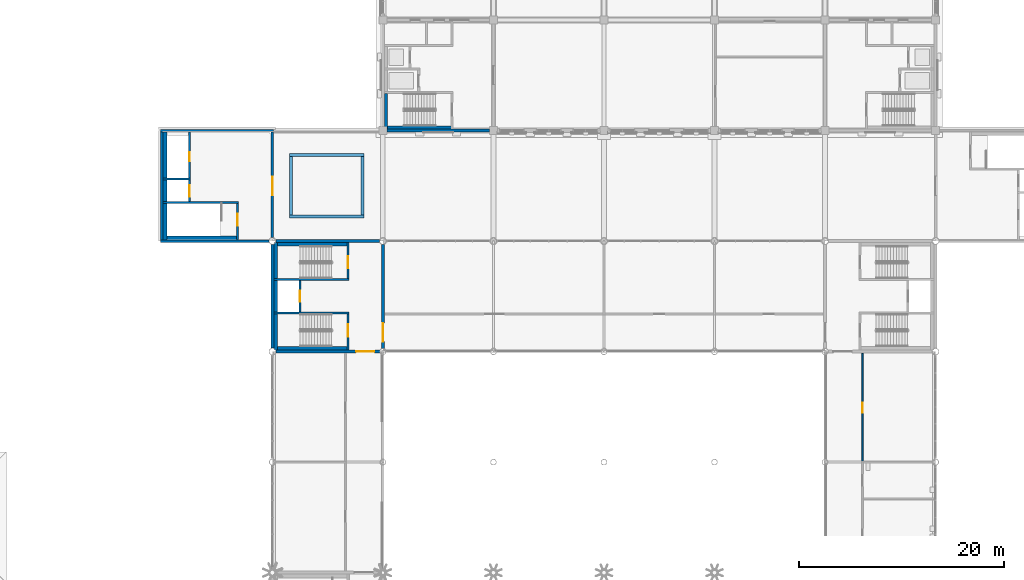
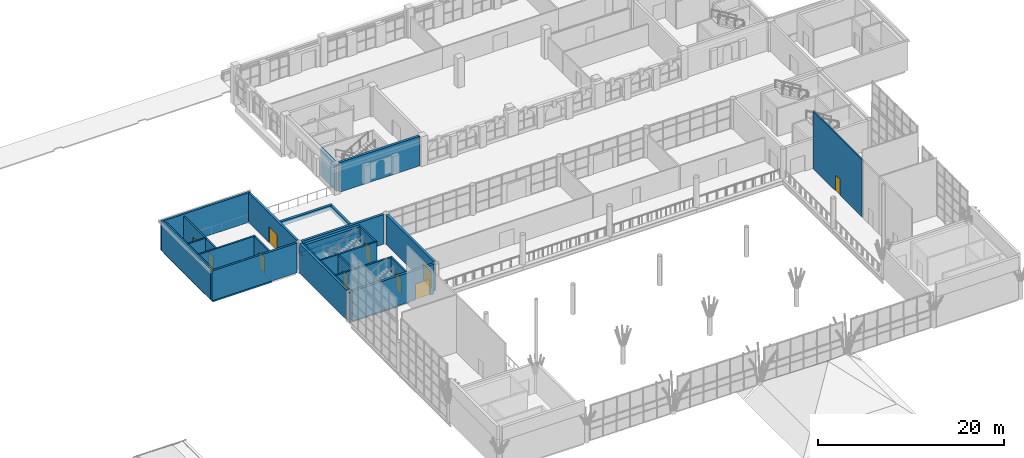
# One storey, part 69 of 95: 35 walls, 10 doors, 10 openings.
"""IFC4 building model written with IfcOpenShell, lengths in metres."""

from ifc_helpers import new_model, si_unit, direction, frame, frame_2d, origin, place, context, subcontext, project, spatial, rectangle, extrude, material, layer, layer_set, type_object, element, fill, save


model = new_model("IFC4")

# Units and contexts
model_context = context("Model", 3, precision=1e-05, world=origin(), true_north=direction((0.0, 1.0)))
body_context = subcontext(model_context, "Body", "Model", "MODEL_VIEW")
ifc_project = project(units=[si_unit("LENGTHUNIT", "METRE"), si_unit("AREAUNIT", "SQUARE_METRE"), si_unit("VOLUMEUNIT", "CUBIC_METRE"), si_unit("PLANEANGLEUNIT", "RADIAN"), si_unit("MASSUNIT", "GRAM", prefix="KILO")], contexts=[model_context])

# Site, building, storey
site_placement = place(None, origin())
site = spatial("IfcSite", under=ifc_project, at=site_placement, CompositionType="ELEMENT")
building_placement = place(site_placement, origin())
building = spatial("IfcBuilding", under=site, at=building_placement, Name="Magnolia Steps Interchange", CompositionType="ELEMENT")
storey_placement = place(building_placement, frame((0.0, 0.0, 4.800048828125)))
storey = spatial("IfcBuildingStorey", under=building, at=storey_placement, Name="L01", CompositionType="ELEMENT", Elevation=4.800048828125)

# Wall, opening, door
ifc_material_1 = material(Name="Concrete C35", Category="concrete")
ifc_layer_1 = layer(ifc_material_1, 0.199951171875)
ifc_layer_set_1 = layer_set([ifc_layer_1], Name="Core enclosure wall 200")
wall_type_1 = type_object("IfcWallType", Name="Core enclosure wall 200", PredefinedType="SOLIDWALL", material=ifc_layer_set_1)
wall_1_placement = place(storey_placement, frame((60.60009765625, 74.949951171875, 0.0), z_axis=(0.0, 0.0, 1.0), x_axis=(0.0, 1.0, 0.0)))
wall_1 = element("IfcWall", 1, at=wall_1_placement, inside=storey, type_object=wall_type_1, Name="L01 HC1 enclosure wall", PredefinedType="SOLIDWALL", context=body_context, shape_type="SweptSolid", body=[
    extrude(rectangle(XDim=3.5, YDim=0.199951171875, at=frame_2d((1.75, 0.0))), origin(), (0.0, 0.0, 1.0), 3.599853515625),
])
opening_1_placement = place(wall_1_placement, frame((1.324951171875, 0.0, 0.0)))
opening_1 = element("IfcOpeningElement", 2, at=opening_1_placement, cuts=wall_1, Name="Opening D-HC1-L01-1", PredefinedType="OPENING", context=body_context, shape_type="SweptSolid", body=[
    extrude(rectangle(XDim=1.199951171875, YDim=2.10009765625, at=frame_2d((0.60009765625, 1.050048828125))), frame((0.0, 0.10986328125, 0.0), z_axis=(0.0, -1.0, 0.0), x_axis=(1.0, 0.0, 0.0)), (0.0, 0.0, 1.0), 0.219970703125),
])
ifc_material_2 = material(Name="Painted steel", Category="steel")
door_type_1 = type_object("IfcDoorType", Name="Stair fire door 1200x2100", OperationType="NOTDEFINED", PredefinedType="DOOR", material=ifc_material_2)
door_1_placement = place(opening_1_placement, frame((1.199951171875, 0.0, 0.0), z_axis=(0.0, 0.0, 1.0), x_axis=(-1.0, 0.0, 0.0)))
door_1 = element("IfcDoor", 3, at=door_1_placement, inside=storey, type_object=door_type_1, Name="Stair door ST1 L01", OperationType="SINGLE_SWING_LEFT", OverallHeight=2.10009765625, OverallWidth=1.199951171875, PredefinedType="DOOR", context=body_context, shape_type="SweptSolid", body=[
    extrude(rectangle(XDim=1.199951171875, YDim=2.10009765625, at=frame_2d((0.60009765625, 1.050048828125))), frame((0.0, 0.02490234375, 0.0), z_axis=(0.0, -1.0, 0.0), x_axis=(1.0, 0.0, 0.0)), (0.0, 0.0, 1.0), 0.050048828125),
])
fill(opening_1, door_1)

# Wall
wall_2_placement = place(storey_placement, frame((60.699951171875, 78.550048828125, 0.0), z_axis=(0.0, 0.0, 1.0), x_axis=(-1.0, 0.0, 0.0)))
element("IfcWall", 4, at=wall_2_placement, inside=storey, type_object=wall_type_1, Name="L01 HC1 enclosure wall", PredefinedType="SOLIDWALL", context=body_context, shape_type="SweptSolid", body=[
    extrude(rectangle(XDim=7.349853515625, YDim=0.199951171875, at=frame_2d((3.6748046875, 0.0))), origin(), (0.0, 0.0, 1.0), 3.599853515625),
])

# Wall, opening, door
wall_3_placement = place(storey_placement, frame((55.89990234375, 78.64990234375, 0.0), z_axis=(0.0, 0.0, 1.0), x_axis=(0.0, 1.0, 0.0)))
wall_3 = element("IfcWall", 5, at=wall_3_placement, inside=storey, type_object=wall_type_1, Name="L01 HC1 enclosure wall", PredefinedType="SOLIDWALL", context=body_context, shape_type="SweptSolid", body=[
    extrude(rectangle(XDim=3.10009765625, YDim=0.199951171875, at=frame_2d((1.550048828125, 0.0))), origin(), (0.0, 0.0, 1.0), 3.599853515625),
])
opening_2_placement = place(wall_3_placement, frame((1.0, 0.0, 0.0)))
opening_2 = element("IfcOpeningElement", 6, at=opening_2_placement, cuts=wall_3, Name="Opening LD", PredefinedType="OPENING", context=body_context, shape_type="SweptSolid", body=[
    extrude(rectangle(XDim=1.10009765625, YDim=2.10009765625, at=frame_2d((0.550048828125, 1.050048828125))), frame((0.0, 0.10986328125, 0.0), z_axis=(0.0, -1.0, 0.0), x_axis=(1.0, 0.0, 0.0)), (0.0, 0.0, 1.0), 0.219970703125),
])
ifc_material_3 = material(Name="Stainless steel grade 304", Category="steel")
door_type_2 = type_object("IfcDoorType", Name="Lift landing door 1100x2100", OperationType="DOUBLE_DOOR_SLIDING", PredefinedType="DOOR", material=ifc_material_3)
door_2_placement = place(opening_2_placement, frame((1.10009765625, 0.0, 0.0), z_axis=(0.0, 0.0, 1.0), x_axis=(-1.0, 0.0, 0.0)))
door_2 = element("IfcDoor", 7, at=door_2_placement, inside=storey, type_object=door_type_2, Name="Lift landing door LF1 L01", OperationType="DOUBLE_DOOR_SLIDING", OverallHeight=2.10009765625, OverallWidth=1.10009765625, PredefinedType="DOOR", context=body_context, shape_type="SweptSolid", body=[
    extrude(rectangle(XDim=1.10009765625, YDim=2.10009765625, at=frame_2d((0.550048828125, 1.050048828125))), frame((0.0, 0.02490234375, 0.0), z_axis=(0.0, -1.0, 0.0), x_axis=(1.0, 0.0, 0.0)), (0.0, 0.0, 1.0), 0.050048828125),
])
fill(opening_2, door_2)

# Wall
wall_4_placement = place(storey_placement, frame((60.699951171875, 81.85009765625, 0.0), z_axis=(0.0, 0.0, 1.0), x_axis=(-1.0, 0.0, 0.0)))
element("IfcWall", 8, at=wall_4_placement, inside=storey, type_object=wall_type_1, Name="L01 HC1 enclosure wall", PredefinedType="SOLIDWALL", context=body_context, shape_type="SweptSolid", body=[
    extrude(rectangle(XDim=7.349853515625, YDim=0.199951171875, at=frame_2d((3.6748046875, 0.0))), origin(), (0.0, 0.0, 1.0), 3.599853515625),
])

# Wall, opening, door
wall_5_placement = place(storey_placement, frame((60.60009765625, 81.949951171875, 0.0), z_axis=(0.0, 0.0, 1.0), x_axis=(0.0, 1.0, 0.0)))
wall_5 = element("IfcWall", 9, at=wall_5_placement, inside=storey, type_object=wall_type_1, Name="L01 HC1 enclosure wall", PredefinedType="SOLIDWALL", context=body_context, shape_type="SweptSolid", body=[
    extrude(rectangle(XDim=3.5, YDim=0.199951171875, at=frame_2d((1.75, 0.0))), origin(), (0.0, 0.0, 1.0), 3.599853515625),
])
opening_3_placement = place(wall_5_placement, frame((0.97509765625, 0.0, 0.0)))
opening_3 = element("IfcOpeningElement", 10, at=opening_3_placement, cuts=wall_5, Name="Opening D-HC1-L01-2", PredefinedType="OPENING", context=body_context, shape_type="SweptSolid", body=[
    extrude(rectangle(XDim=1.199951171875, YDim=2.10009765625, at=frame_2d((0.60009765625, 1.050048828125))), frame((0.0, 0.10986328125, 0.0), z_axis=(0.0, -1.0, 0.0), x_axis=(1.0, 0.0, 0.0)), (0.0, 0.0, 1.0), 0.219970703125),
])
door_3_placement = place(opening_3_placement, frame((1.199951171875, 0.0, 0.0), z_axis=(0.0, 0.0, 1.0), x_axis=(-1.0, 0.0, 0.0)))
door_3 = element("IfcDoor", 11, at=door_3_placement, inside=storey, type_object=door_type_1, Name="Stair door ST2 L01", OperationType="SINGLE_SWING_RIGHT", OverallHeight=2.10009765625, OverallWidth=1.199951171875, PredefinedType="DOOR", context=body_context, shape_type="SweptSolid", body=[
    extrude(rectangle(XDim=1.199951171875, YDim=2.10009765625, at=frame_2d((0.60009765625, 1.050048828125))), frame((0.0, 0.02490234375, 0.0), z_axis=(0.0, -1.0, 0.0), x_axis=(1.0, 0.0, 0.0)), (0.0, 0.0, 1.0), 0.050048828125),
])
fill(opening_3, door_3)

wall_6_placement = place(storey_placement, frame((49.800048828125, 85.72509765625, 0.0), z_axis=(0.0, 0.0, 1.0), x_axis=(0.0, 1.0, 0.0)))
wall_6 = element("IfcWall", 12, at=wall_6_placement, inside=storey, type_object=wall_type_1, Name="L01 WC-W enclosure wall", PredefinedType="SOLIDWALL", context=body_context, shape_type="SweptSolid", body=[
    extrude(rectangle(XDim=3.52490234375, YDim=0.199951171875, at=frame_2d((1.762451171875, 0.0))), origin(), (0.0, 0.0, 1.0), 3.599853515625),
])
opening_4_placement = place(wall_6_placement, frame((1.35009765625, 0.0, 0.0)))
opening_4 = element("IfcOpeningElement", 13, at=opening_4_placement, cuts=wall_6, Name="Opening D-WC-W-L01-1", PredefinedType="OPENING", context=body_context, shape_type="SweptSolid", body=[
    extrude(rectangle(XDim=1.199951171875, YDim=2.10009765625, at=frame_2d((0.60009765625, 1.050048828125))), frame((0.0, 0.10986328125, 0.0), z_axis=(0.0, -1.0, 0.0), x_axis=(1.0, 0.0, 0.0)), (0.0, 0.0, 1.0), 0.219970703125),
])
door_4_placement = place(opening_4_placement, frame((1.199951171875, 0.0, 0.0), z_axis=(0.0, 0.0, 1.0), x_axis=(-1.0, 0.0, 0.0)))
door_4 = element("IfcDoor", 14, at=door_4_placement, inside=storey, type_object=door_type_1, Name="Stair door ST26 L01", OperationType="SINGLE_SWING_LEFT", OverallHeight=2.10009765625, OverallWidth=1.199951171875, PredefinedType="DOOR", context=body_context, shape_type="SweptSolid", body=[
    extrude(rectangle(XDim=1.199951171875, YDim=2.10009765625, at=frame_2d((0.60009765625, 1.050048828125))), frame((0.0, 0.02490234375, 0.0), z_axis=(0.0, -1.0, 0.0), x_axis=(1.0, 0.0, 0.0)), (0.0, 0.0, 1.0), 0.050048828125),
])
fill(opening_4, door_4)

# Wall
wall_7_placement = place(storey_placement, frame((49.89990234375, 89.35009765625, 0.0), z_axis=(0.0, 0.0, 1.0), x_axis=(-1.0, 0.0, 0.0)))
element("IfcWall", 15, at=wall_7_placement, inside=storey, type_object=wall_type_1, Name="L01 WC-W enclosure wall", PredefinedType="SOLIDWALL", context=body_context, shape_type="SweptSolid", body=[
    extrude(rectangle(XDim=7.375, YDim=0.199951171875, at=frame_2d((3.6875, 0.0))), origin(), (0.0, 0.0, 1.0), 3.599853515625),
])

# Wall, opening, door
wall_8_placement = place(storey_placement, frame((45.10009765625, 89.449951171875, 0.0), z_axis=(0.0, 0.0, 1.0), x_axis=(0.0, 1.0, 0.0)))
wall_8 = element("IfcWall", 16, at=wall_8_placement, inside=storey, type_object=wall_type_1, Name="L01 WC-W enclosure wall", PredefinedType="SOLIDWALL", context=body_context, shape_type="SweptSolid", body=[
    extrude(rectangle(XDim=2.10009765625, YDim=0.199951171875, at=frame_2d((1.050048828125, 0.0))), origin(), (0.0, 0.0, 1.0), 3.599853515625),
])
opening_5_placement = place(wall_8_placement, frame((0.5, 0.0, 0.0)))
opening_5 = element("IfcOpeningElement", 17, at=opening_5_placement, cuts=wall_8, Name="Opening LD", PredefinedType="OPENING", context=body_context, shape_type="SweptSolid", body=[
    extrude(rectangle(XDim=1.10009765625, YDim=2.10009765625, at=frame_2d((0.550048828125, 1.050048828125))), frame((0.0, 0.10986328125, 0.0), z_axis=(0.0, -1.0, 0.0), x_axis=(1.0, 0.0, 0.0)), (0.0, 0.0, 1.0), 0.219970703125),
])
door_5_placement = place(opening_5_placement, frame((1.10009765625, 0.0, 0.0), z_axis=(0.0, 0.0, 1.0), x_axis=(-1.0, 0.0, 0.0)))
door_5 = element("IfcDoor", 18, at=door_5_placement, inside=storey, type_object=door_type_2, Name="Lift landing door LF13 L01", OperationType="DOUBLE_DOOR_SLIDING", OverallHeight=2.10009765625, OverallWidth=1.10009765625, PredefinedType="DOOR", context=body_context, shape_type="SweptSolid", body=[
    extrude(rectangle(XDim=1.10009765625, YDim=2.10009765625, at=frame_2d((0.550048828125, 1.050048828125))), frame((0.0, 0.02490234375, 0.0), z_axis=(0.0, -1.0, 0.0), x_axis=(1.0, 0.0, 0.0)), (0.0, 0.0, 1.0), 0.050048828125),
])
fill(opening_5, door_5)

# Wall
wall_9_placement = place(storey_placement, frame((45.199951171875, 91.64990234375, 0.0), z_axis=(0.0, 0.0, 1.0), x_axis=(-1.0, 0.0, 0.0)))
element("IfcWall", 19, at=wall_9_placement, inside=storey, type_object=wall_type_1, Name="L01 WC-W enclosure wall", PredefinedType="SOLIDWALL", context=body_context, shape_type="SweptSolid", body=[
    extrude(rectangle(XDim=2.675048828125, YDim=0.199951171875, at=frame_2d((1.33740234375, 0.0))), origin(), (0.0, 0.0, 1.0), 3.599853515625),
])

# Wall, opening, door
wall_10_placement = place(storey_placement, frame((45.10009765625, 91.75, 0.0), z_axis=(0.0, 0.0, 1.0), x_axis=(0.0, 1.0, 0.0)))
wall_10 = element("IfcWall", 20, at=wall_10_placement, inside=storey, type_object=wall_type_1, Name="L01 WC-W enclosure wall", PredefinedType="SOLIDWALL", context=body_context, shape_type="SweptSolid", body=[
    extrude(rectangle(XDim=4.52490234375, YDim=0.199951171875, at=frame_2d((2.262451171875, 0.0))), origin(), (0.0, 0.0, 1.0), 3.599853515625),
])
opening_6_placement = place(wall_10_placement, frame((1.625, 0.0, 0.0)))
opening_6 = element("IfcOpeningElement", 21, at=opening_6_placement, cuts=wall_10, Name="Opening D-WC-W-L01-2", PredefinedType="OPENING", context=body_context, shape_type="SweptSolid", body=[
    extrude(rectangle(XDim=0.89990234375, YDim=2.10009765625, at=frame_2d((0.449951171875, 1.050048828125))), frame((0.0, 0.10986328125, 0.0), z_axis=(0.0, -1.0, 0.0), x_axis=(1.0, 0.0, 0.0)), (0.0, 0.0, 1.0), 0.219970703125),
])
ifc_material_4 = material(Name="Painted steel", Category="steel")
door_type_3 = type_object("IfcDoorType", Name="Riser door 900x2100", OperationType="NOTDEFINED", PredefinedType="DOOR", material=ifc_material_4)
door_6_placement = place(opening_6_placement, frame((0.89990234375, 0.0, 0.0), z_axis=(0.0, 0.0, 1.0), x_axis=(-1.0, 0.0, 0.0)))
door_6 = element("IfcDoor", 22, at=door_6_placement, inside=storey, type_object=door_type_3, Name="Riser door WC-W L01", OperationType="SINGLE_SWING_RIGHT", OverallHeight=2.10009765625, OverallWidth=0.89990234375, PredefinedType="DOOR", context=body_context, shape_type="SweptSolid", body=[
    extrude(rectangle(XDim=0.89990234375, YDim=2.10009765625, at=frame_2d((0.449951171875, 1.050048828125))), frame((0.0, 0.02490234375, 0.0), z_axis=(0.0, -1.0, 0.0), x_axis=(1.0, 0.0, 0.0)), (0.0, 0.0, 1.0), 0.050048828125),
])
fill(opening_6, door_6)

# Walls
ifc_material_5 = material(Name="Concrete C35", Category="concrete")
ifc_layer_2 = layer(ifc_material_5, 0.300048828125)
ifc_layer_set_2 = layer_set([ifc_layer_2], Name="Core lining wall 300")
wall_type_2 = type_object("IfcWallType", Name="Core lining wall 300", PredefinedType="SOLIDWALL", material=ifc_layer_set_2)
wall_11_placement = place(storey_placement, frame((70.85009765625, 96.699951171875, 0.0), z_axis=(0.0, 0.0, 1.0), x_axis=(-1.0, 0.0, 0.0)))
element("IfcWall", 23, at=wall_11_placement, inside=storey, type_object=wall_type_2, Name="L01 OC-W stair lining wall", PredefinedType="SOLIDWALL", context=body_context, shape_type="SweptSolid", body=[
    extrude(rectangle(XDim=6.7001953125, YDim=0.300048828125, at=frame_2d((3.35009765625, 0.0))), origin(), (0.0, 0.0, 1.0), 3.599853515625),
])
wall_12_placement = place(storey_placement, frame((64.300048828125, 96.550048828125, 0.0), z_axis=(0.0, 0.0, 1.0), x_axis=(0.0, 1.0, 0.0)))
element("IfcWall", 24, at=wall_12_placement, inside=storey, type_object=wall_type_2, Name="L01 OC-W stair lining wall", PredefinedType="SOLIDWALL", context=body_context, shape_type="SweptSolid", body=[
    extrude(rectangle(XDim=3.449951171875, YDim=0.300048828125, at=frame_2d((1.72509765625, 0.0))), origin(), (0.0, 0.0, 1.0), 3.599853515625),
])
ifc_material_6 = material(Name="Concrete C35", Category="concrete")
ifc_layer_3 = layer(ifc_material_6, 0.35009765625)
ifc_layer_set_3 = layer_set([ifc_layer_3], Name="Core lining wall 350")
wall_type_3 = type_object("IfcWallType", Name="Core lining wall 350", PredefinedType="SOLIDWALL", material=ifc_layer_set_3)
wall_13_placement = place(storey_placement, frame((60.699951171875, 75.125, -0.400146484375), z_axis=(0.0, 0.0, 1.0), x_axis=(-1.0, 0.0, 0.0)))
element("IfcWall", 25, at=wall_13_placement, inside=storey, type_object=wall_type_3, Name="L01 HC1 stair lining wall", PredefinedType="SOLIDWALL", context=body_context, shape_type="SweptSolid", body=[
    extrude(rectangle(XDim=7.349853515625, YDim=0.35009765625, at=frame_2d((3.6748046875, 0.0))), origin(), (0.0, 0.0, 1.0), 4.0),
])
wall_14_placement = place(storey_placement, frame((53.52490234375, 74.949951171875, -0.400146484375), z_axis=(0.0, 0.0, 1.0), x_axis=(0.0, 1.0, 0.0)))
element("IfcWall", 26, at=wall_14_placement, inside=storey, type_object=wall_type_3, Name="L01 HC1 stair lining wall", PredefinedType="SOLIDWALL", context=body_context, shape_type="SweptSolid", body=[
    extrude(rectangle(XDim=3.5, YDim=0.35009765625, at=frame_2d((1.75, 0.0))), origin(), (0.0, 0.0, 1.0), 4.0),
])
wall_15_placement = place(storey_placement, frame((60.699951171875, 85.27490234375, -0.400146484375), z_axis=(0.0, 0.0, 1.0), x_axis=(-1.0, 0.0, 0.0)))
element("IfcWall", 27, at=wall_15_placement, inside=storey, type_object=wall_type_3, Name="L01 HC1 stair lining wall", PredefinedType="SOLIDWALL", context=body_context, shape_type="SweptSolid", body=[
    extrude(rectangle(XDim=7.349853515625, YDim=0.35009765625, at=frame_2d((3.6748046875, 0.0))), origin(), (0.0, 0.0, 1.0), 4.0),
])
wall_16_placement = place(storey_placement, frame((53.52490234375, 81.949951171875, -0.400146484375), z_axis=(0.0, 0.0, 1.0), x_axis=(0.0, 1.0, 0.0)))
element("IfcWall", 28, at=wall_16_placement, inside=storey, type_object=wall_type_3, Name="L01 HC1 stair lining wall", PredefinedType="SOLIDWALL", context=body_context, shape_type="SweptSolid", body=[
    extrude(rectangle(XDim=3.5, YDim=0.35009765625, at=frame_2d((1.75, 0.0))), origin(), (0.0, 0.0, 1.0), 4.0),
])
wall_17_placement = place(storey_placement, frame((53.52490234375, 78.64990234375, -0.400146484375), z_axis=(0.0, 0.0, 1.0), x_axis=(0.0, 1.0, 0.0)))
element("IfcWall", 29, at=wall_17_placement, inside=storey, type_object=wall_type_3, Name="L01 HC1 stair lining wall", PredefinedType="SOLIDWALL", context=body_context, shape_type="SweptSolid", body=[
    extrude(rectangle(XDim=3.10009765625, YDim=0.35009765625, at=frame_2d((1.550048828125, 0.0))), origin(), (0.0, 0.0, 1.0), 4.0),
])
ifc_material_7 = material(Name="Concrete C35", Category="concrete")
ifc_layer_4 = layer(ifc_material_7, 0.375)
ifc_layer_set_4 = layer_set([ifc_layer_4], Name="Core lining wall 375")
wall_type_4 = type_object("IfcWallType", Name="Core lining wall 375", PredefinedType="SOLIDWALL", material=ifc_layer_set_4)
wall_18_placement = place(storey_placement, frame((49.89990234375, 85.91259765625, -0.400146484375), z_axis=(0.0, 0.0, 1.0), x_axis=(-1.0, 0.0, 0.0)))
element("IfcWall", 30, at=wall_18_placement, inside=storey, type_object=wall_type_4, Name="L01 WC-W stair lining wall", PredefinedType="SOLIDWALL", context=body_context, shape_type="SweptSolid", body=[
    extrude(rectangle(XDim=7.375, YDim=0.375, at=frame_2d((3.6875, 0.0))), origin(), (0.0, 0.0, 1.0), 4.0),
])
wall_19_placement = place(storey_placement, frame((42.71240234375, 85.72509765625, -0.400146484375), z_axis=(0.0, 0.0, 1.0), x_axis=(0.0, 1.0, 0.0)))
element("IfcWall", 31, at=wall_19_placement, inside=storey, type_object=wall_type_4, Name="L01 WC-W stair lining wall", PredefinedType="SOLIDWALL", context=body_context, shape_type="SweptSolid", body=[
    extrude(rectangle(XDim=3.52490234375, YDim=0.375, at=frame_2d((1.762451171875, 0.0))), origin(), (0.0, 0.0, 1.0), 4.0),
])
wall_20_placement = place(storey_placement, frame((42.71240234375, 89.449951171875, -0.400146484375), z_axis=(0.0, 0.0, 1.0), x_axis=(0.0, 1.0, 0.0)))
element("IfcWall", 32, at=wall_20_placement, inside=storey, type_object=wall_type_4, Name="L01 WC-W stair lining wall", PredefinedType="SOLIDWALL", context=body_context, shape_type="SweptSolid", body=[
    extrude(rectangle(XDim=2.10009765625, YDim=0.375, at=frame_2d((1.050048828125, 0.0))), origin(), (0.0, 0.0, 1.0), 4.0),
])
wall_21_placement = place(storey_placement, frame((42.71240234375, 91.75, -0.400146484375), z_axis=(0.0, 0.0, 1.0), x_axis=(0.0, 1.0, 0.0)))
element("IfcWall", 33, at=wall_21_placement, inside=storey, type_object=wall_type_4, Name="L01 WC-W stair lining wall", PredefinedType="SOLIDWALL", context=body_context, shape_type="SweptSolid", body=[
    extrude(rectangle(XDim=4.52490234375, YDim=0.375, at=frame_2d((2.262451171875, 0.0))), origin(), (0.0, 0.0, 1.0), 4.0),
])
ifc_material_8 = material(Name="Concrete C40", Category="concrete")
ifc_layer_5 = layer(ifc_material_8, 0.25)
ifc_layer_set_5 = layer_set([ifc_layer_5], Name="Core wall 250")
wall_type_5 = type_object("IfcWallType", Name="Core wall 250", PredefinedType="SOLIDWALL", material=ifc_layer_set_5)
wall_22_placement = place(storey_placement, frame((42.27490234375, 85.60009765625, 0.0), z_axis=(0.0, 0.0, 1.0), x_axis=(1.0, 0.0, 0.0)))
element("IfcWall", 34, at=wall_22_placement, inside=storey, type_object=wall_type_5, Name="Core wall WC-W", PredefinedType="SOLIDWALL", context=body_context, shape_type="SweptSolid", body=[
    extrude(rectangle(XDim=10.59521484375, YDim=0.25, at=frame_2d((5.297607421875, 0.0))), origin(), (0.0, 0.0, 1.0), 3.89990234375),
])

# Wall, opening, door
wall_23_placement = place(storey_placement, frame((53.199951171875, 85.929931640625, 0.0), z_axis=(0.0, 0.0, 1.0), x_axis=(0.0, 1.0, 0.0)))
wall_23 = element("IfcWall", 35, at=wall_23_placement, inside=storey, type_object=wall_type_5, Name="Core wall WC-W", PredefinedType="SOLIDWALL", context=body_context, shape_type="SweptSolid", body=[
    extrude(rectangle(XDim=10.344970703125, YDim=0.25, at=frame_2d((5.17236328125, 0.0))), origin(), (0.0, 0.0, 1.0), 3.89990234375),
])
opening_7_placement = place(wall_23_placement, frame((4.169921875, 0.0, 0.0)))
opening_7 = element("IfcOpeningElement", 36, at=opening_7_placement, cuts=wall_23, Name="Opening D-WC-W-L01-3", PredefinedType="OPENING", context=body_context, shape_type="SweptSolid", body=[
    extrude(rectangle(XDim=1.800048828125, YDim=2.10009765625, at=frame_2d((0.89990234375, 1.050048828125))), frame((0.0, 0.135009765625, 0.0), z_axis=(0.0, -1.0, 0.0), x_axis=(1.0, 0.0, 0.0)), (0.0, 0.0, 1.0), 0.27001953125),
])
ifc_material_9 = material(Name="Timber and glass", Category="wood")
door_type_4 = type_object("IfcDoorType", Name="Core entrance door pair 1800x2100", OperationType="DOUBLE_DOOR_DOUBLE_SWING", PredefinedType="DOOR", material=ifc_material_9)
door_7_placement = place(opening_7_placement, frame((1.800048828125, 0.0, 0.0), z_axis=(0.0, 0.0, 1.0), x_axis=(-1.0, 0.0, 0.0)))
door_7 = element("IfcDoor", 37, at=door_7_placement, inside=storey, type_object=door_type_4, Name="Core entrance door WC-W L01", OperationType="DOUBLE_DOOR_DOUBLE_SWING", OverallHeight=2.10009765625, OverallWidth=1.800048828125, PredefinedType="DOOR", context=body_context, shape_type="SweptSolid", body=[
    extrude(rectangle(XDim=1.800048828125, YDim=2.10009765625, at=frame_2d((0.89990234375, 1.050048828125))), frame((0.0, 0.02490234375, 0.0), z_axis=(0.0, -1.0, 0.0), x_axis=(1.0, 0.0, 0.0)), (0.0, 0.0, 1.0), 0.050048828125),
])
fill(opening_7, door_7)

# Walls
wall_24_placement = place(storey_placement, frame((53.324951171875, 96.39990234375, 0.0), z_axis=(0.0, 0.0, 1.0), x_axis=(-1.0, 0.0, 0.0)))
element("IfcWall", 38, at=wall_24_placement, inside=storey, type_object=wall_type_5, Name="Core wall WC-W", PredefinedType="SOLIDWALL", context=body_context, shape_type="SweptSolid", body=[
    extrude(rectangle(XDim=11.050048828125, YDim=0.25, at=frame_2d((5.52490234375, 0.0))), origin(), (0.0, 0.0, 1.0), 3.89990234375),
])
wall_25_placement = place(storey_placement, frame((42.39990234375, 96.27490234375, 0.0), z_axis=(0.0, 0.0, 1.0), x_axis=(0.0, -1.0, 0.0)))
element("IfcWall", 39, at=wall_25_placement, inside=storey, type_object=wall_type_5, Name="Core wall WC-W", PredefinedType="SOLIDWALL", context=body_context, shape_type="SweptSolid", body=[
    extrude(rectangle(XDim=10.5498046875, YDim=0.25, at=frame_2d((5.27490234375, 0.0))), origin(), (0.0, 0.0, 1.0), 3.89990234375),
])

# Wall, opening, door
ifc_material_10 = material(Name="Concrete C40", Category="concrete")
ifc_layer_6 = layer(ifc_material_10, 0.300048828125)
ifc_layer_set_6 = layer_set([ifc_layer_6], Name="Core wall 300")
wall_type_6 = type_object("IfcWallType", Name="Core wall 300", PredefinedType="SOLIDWALL", material=ifc_layer_set_6)
wall_26_placement = place(storey_placement, frame((53.530029296875, 74.800048828125, 0.0), z_axis=(0.0, 0.0, 1.0), x_axis=(1.0, 0.0, 0.0)))
wall_26 = element("IfcWall", 40, at=wall_26_placement, inside=storey, type_object=wall_type_6, Name="Core wall HC1", PredefinedType="SOLIDWALL", context=body_context, shape_type="SweptSolid", body=[
    extrude(rectangle(XDim=10.1650390625, YDim=0.300048828125, at=frame_2d((5.08251953125, 0.0))), origin(), (0.0, 0.0, 1.0), 3.89990234375),
])
opening_8_placement = place(wall_26_placement, frame((7.844970703125, 0.0, 0.0)))
opening_8 = element("IfcOpeningElement", 41, at=opening_8_placement, cuts=wall_26, Name="Opening D-HC1-L01-4", PredefinedType="OPENING", context=body_context, shape_type="SweptSolid", body=[
    extrude(rectangle(XDim=1.800048828125, YDim=2.10009765625, at=frame_2d((0.89990234375, 1.050048828125))), frame((0.0, 0.159912109375, 0.0), z_axis=(0.0, -1.0, 0.0), x_axis=(1.0, 0.0, 0.0)), (0.0, 0.0, 1.0), 0.320068359375),
])
door_8_placement = place(opening_8_placement, frame((1.800048828125, 0.0, 0.0), z_axis=(0.0, 0.0, 1.0), x_axis=(-1.0, 0.0, 0.0)))
door_8 = element("IfcDoor", 42, at=door_8_placement, inside=storey, type_object=door_type_4, Name="Core entrance door HC1 L01", OperationType="DOUBLE_DOOR_DOUBLE_SWING", OverallHeight=2.10009765625, OverallWidth=1.800048828125, PredefinedType="DOOR", context=body_context, shape_type="SweptSolid", body=[
    extrude(rectangle(XDim=1.800048828125, YDim=2.10009765625, at=frame_2d((0.89990234375, 1.050048828125))), frame((0.0, 0.02490234375, 0.0), z_axis=(0.0, -1.0, 0.0), x_axis=(1.0, 0.0, 0.0)), (0.0, 0.0, 1.0), 0.050048828125),
])
fill(opening_8, door_8)

wall_27_placement = place(storey_placement, frame((64.0, 75.10498046875, 0.0), z_axis=(0.0, 0.0, 1.0), x_axis=(0.0, 1.0, 0.0)))
wall_27 = element("IfcWall", 43, at=wall_27_placement, inside=storey, type_object=wall_type_6, Name="Core wall HC1", PredefinedType="SOLIDWALL", context=body_context, shape_type="SweptSolid", body=[
    extrude(rectangle(XDim=10.1650390625, YDim=0.300048828125, at=frame_2d((5.08251953125, 0.0))), origin(), (0.0, 0.0, 1.0), 3.89990234375),
])
opening_9_placement = place(wall_27_placement, frame((0.669921875, 0.0, 0.0)))
opening_9 = element("IfcOpeningElement", 44, at=opening_9_placement, cuts=wall_27, Name="Opening D-HC1-L01-3", PredefinedType="OPENING", context=body_context, shape_type="SweptSolid", body=[
    extrude(rectangle(XDim=1.800048828125, YDim=2.10009765625, at=frame_2d((0.89990234375, 1.050048828125))), frame((0.0, 0.159912109375, 0.0), z_axis=(0.0, -1.0, 0.0), x_axis=(1.0, 0.0, 0.0)), (0.0, 0.0, 1.0), 0.320068359375),
])
door_9_placement = place(opening_9_placement, frame((1.800048828125, 0.0, 0.0), z_axis=(0.0, 0.0, 1.0), x_axis=(-1.0, 0.0, 0.0)))
door_9 = element("IfcDoor", 45, at=door_9_placement, inside=storey, type_object=door_type_4, Name="Core entrance door HC1 L01", OperationType="DOUBLE_DOOR_DOUBLE_SWING", OverallHeight=2.10009765625, OverallWidth=1.800048828125, PredefinedType="DOOR", context=body_context, shape_type="SweptSolid", body=[
    extrude(rectangle(XDim=1.800048828125, YDim=2.10009765625, at=frame_2d((0.89990234375, 1.050048828125))), frame((0.0, 0.02490234375, 0.0), z_axis=(0.0, -1.0, 0.0), x_axis=(1.0, 0.0, 0.0)), (0.0, 0.0, 1.0), 0.050048828125),
])
fill(opening_9, door_9)

# Walls
wall_28_placement = place(storey_placement, frame((63.669921875, 85.60009765625, 0.0), z_axis=(0.0, 0.0, 1.0), x_axis=(-1.0, 0.0, 0.0)))
element("IfcWall", 46, at=wall_28_placement, inside=storey, type_object=wall_type_6, Name="Core wall HC1", PredefinedType="SOLIDWALL", context=body_context, shape_type="SweptSolid", body=[
    extrude(rectangle(XDim=10.139892578125, YDim=0.300048828125, at=frame_2d((5.06982421875, 0.0))), origin(), (0.0, 0.0, 1.0), 3.89990234375),
])
wall_29_placement = place(storey_placement, frame((53.199951171875, 85.27001953125, 0.0), z_axis=(0.0, 0.0, 1.0), x_axis=(0.0, -1.0, 0.0)))
element("IfcWall", 47, at=wall_29_placement, inside=storey, type_object=wall_type_6, Name="Core wall HC1", PredefinedType="SOLIDWALL", context=body_context, shape_type="SweptSolid", body=[
    extrude(rectangle(XDim=10.14013671875, YDim=0.300048828125, at=frame_2d((5.070068359375, 0.0))), origin(), (0.0, 0.0, 1.0), 3.89990234375),
])
wall_30_placement = place(storey_placement, frame((64.39990234375, 96.39990234375, 0.0), z_axis=(0.0, 0.0, 1.0), x_axis=(1.0, 0.0, 0.0)))
element("IfcWall", 48, at=wall_30_placement, inside=storey, type_object=wall_type_6, Name="Core wall OC-W", PredefinedType="SOLIDWALL", context=body_context, shape_type="SweptSolid", body=[
    extrude(rectangle(XDim=10.0, YDim=0.300048828125, at=frame_2d((5.0, 0.0))), origin(), (0.0, 0.0, 1.0), 3.89990234375),
])

# Wall, opening, door
ifc_material_11 = material(Name="Fair-faced blockwork", Category="masonry")
ifc_layer_7 = layer(ifc_material_11, 0.14990234375)
ifc_layer_set_7 = layer_set([ifc_layer_7], Name="Partition wall 150")
wall_type_7 = type_object("IfcWallType", Name="Partition wall 150", PredefinedType="PARTITIONING", material=ifc_layer_set_7)
wall_31_placement = place(storey_placement, frame((110.875, 64.0, 0.0), z_axis=(0.0, 0.0, 1.0), x_axis=(0.0, 1.0, 0.0)))
wall_31 = element("IfcWall", 49, at=wall_31_placement, inside=storey, type_object=wall_type_7, Name="L01 partition 8", PredefinedType="PARTITIONING", context=body_context, shape_type="SweptSolid", body=[
    extrude(rectangle(XDim=10.6201171875, YDim=0.14990234375, at=frame_2d((5.31005859375, 0.0))), origin(), (0.0, 0.0, 1.0), 7.574462890625),
])
opening_10_placement = place(wall_31_placement, frame((4.81005859375, 0.0, 0.0)))
opening_10 = element("IfcOpeningElement", 50, at=opening_10_placement, cuts=wall_31, Name="Opening D-L01-8", PredefinedType="OPENING", context=body_context, shape_type="SweptSolid", body=[
    extrude(rectangle(XDim=1.0, YDim=2.10009765625, at=frame_2d((0.5, 1.050048828125))), frame((0.0, 0.0849609375, 0.0), z_axis=(0.0, -1.0, 0.0), x_axis=(1.0, 0.0, 0.0)), (0.0, 0.0, 1.0), 0.169921875),
])
ifc_material_12 = material(Name="Timber", Category="wood")
door_type_5 = type_object("IfcDoorType", Name="Room door 1000x2100", OperationType="NOTDEFINED", PredefinedType="DOOR", material=ifc_material_12)
door_10_placement = place(opening_10_placement, origin())
door_10 = element("IfcDoor", 51, at=door_10_placement, inside=storey, type_object=door_type_5, Name="Waiting Lounge 2 door", OperationType="SINGLE_SWING_RIGHT", OverallHeight=2.10009765625, OverallWidth=1.0, PredefinedType="DOOR", context=body_context, shape_type="SweptSolid", body=[
    extrude(rectangle(XDim=1.0, YDim=2.10009765625, at=frame_2d((0.5, 1.050048828125))), frame((0.0, 0.02490234375, 0.0), z_axis=(0.0, -1.0, 0.0), x_axis=(1.0, 0.0, 0.0)), (0.0, 0.0, 1.0), 0.050048828125),
])
fill(opening_10, door_10)

# Walls
ifc_material_13 = material(Name="Lime render on masonry", Category="masonry")
ifc_layer_8 = layer(ifc_material_13, 0.300048828125)
ifc_layer_set_8 = layer_set([ifc_layer_8], Name="Planter wall 300")
wall_type_8 = type_object("IfcWallType", Name="Planter wall 300", PredefinedType="PARAPET", material=ifc_layer_set_8)
for number, where, z_axis, x_axis, name in (
    (52, (54.85009765625, 88.0, 0.0), (0.0, 0.0, 1.0), (1.0, 0.0, 0.0), "Deck garden bed 1 wall S"),
    (53, (62.14990234375, 94.0, 0.0), (0.0, 0.0, 1.0), (-1.0, 0.0, 0.0), "Deck garden bed 1 wall N"),
):
    element("IfcWall", number, at=place(storey_placement, frame(where, z_axis=z_axis, x_axis=x_axis)), inside=storey, type_object=wall_type_8, Name=name, PredefinedType="PARAPET", context=body_context, shape_type="SweptSolid", body=[
        extrude(rectangle(XDim=7.2998046875, YDim=0.300048828125, at=frame_2d((3.64990234375, 0.0))), origin(), (0.0, 0.0, 1.0), 0.599853515625),
    ])
for number, where, z_axis, x_axis, name in (
    (54, (55.0, 93.85009765625, 0.0), (0.0, 0.0, 1.0), (0.0, -1.0, 0.0), "Deck garden bed 1 wall W"),
    (55, (62.0, 88.14990234375, 0.0), (0.0, 0.0, 1.0), (0.0, 1.0, 0.0), "Deck garden bed 1 wall E"),
):
    element("IfcWall", number, at=place(storey_placement, frame(where, z_axis=z_axis, x_axis=x_axis)), inside=storey, type_object=wall_type_8, Name=name, PredefinedType="PARAPET", context=body_context, shape_type="SweptSolid", body=[
        extrude(rectangle(XDim=5.7001953125, YDim=0.300048828125, at=frame_2d((2.85009765625, 0.0))), origin(), (0.0, 0.0, 1.0), 0.599853515625),
    ])

save(model, "model.ifc")
